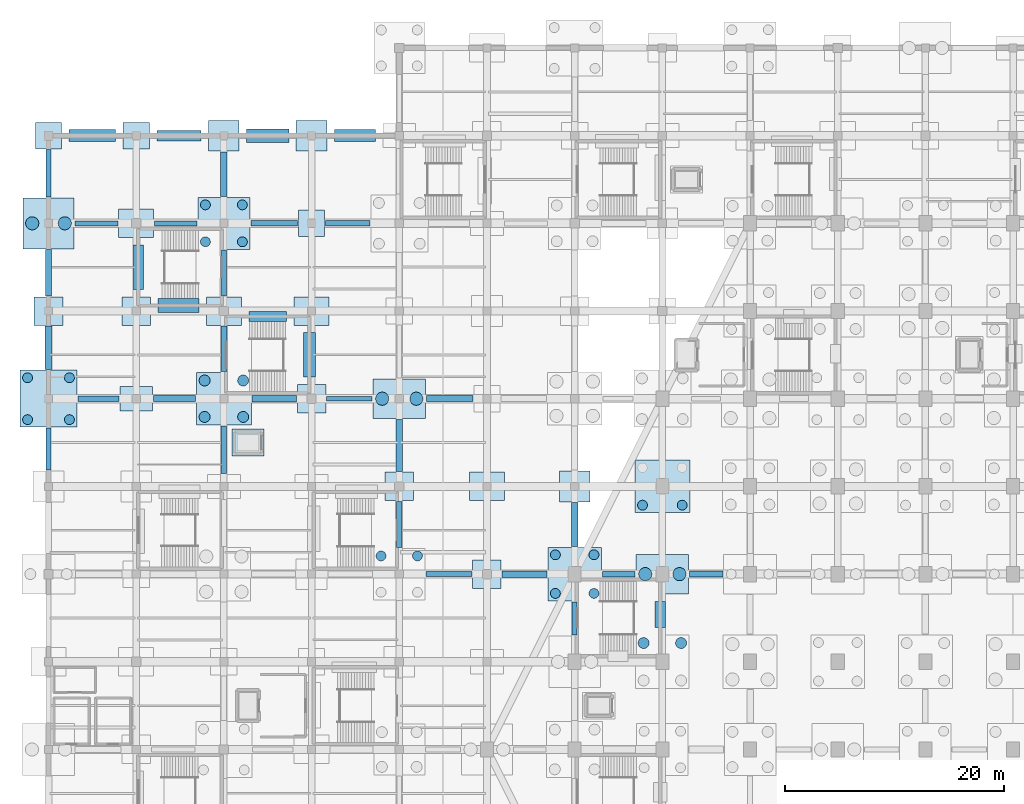
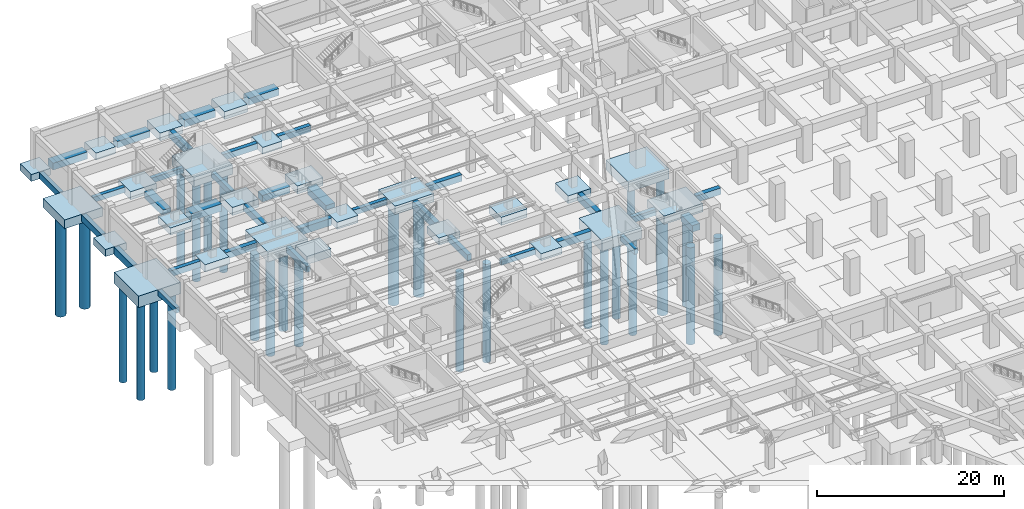
# One storey, part 7 of 36: 59 footings, 28 piles.
"""IFC4 building model written with IfcOpenShell, lengths in metres."""

from ifc_helpers import new_model, si_unit, direction, frame, origin, origin_2d, place, context, subcontext, project, spatial, rectangle, circle, extrude, material, material_profile, profile_set, type_object, element, save


model = new_model("IFC4")

# Units and contexts
model_context = context("Model", 3, precision=1e-05, world=origin(), true_north=direction((0.0, 1.0)))
body_context = subcontext(model_context, "Body", "Model", "MODEL_VIEW")
ifc_project = project(units=[si_unit("LENGTHUNIT", "METRE"), si_unit("AREAUNIT", "SQUARE_METRE"), si_unit("VOLUMEUNIT", "CUBIC_METRE"), si_unit("PLANEANGLEUNIT", "RADIAN"), si_unit("MASSUNIT", "GRAM", prefix="KILO")], contexts=[model_context])

# Site, building, storey
site_placement = place(None, origin())
site = spatial("IfcSite", under=ifc_project, at=site_placement, CompositionType="ELEMENT")
building_placement = place(site_placement, origin())
building = spatial("IfcBuilding", under=site, at=building_placement, Name="Tazarka Park Arena", CompositionType="ELEMENT")
storey_placement = place(building_placement, frame((0.0, 0.0, -4.800048828125)))
storey = spatial("IfcBuildingStorey", under=building, at=storey_placement, Name="B1", CompositionType="ELEMENT", Elevation=-4.800048828125)

# Footings
ifc_material_1 = material(Name="Concrete C35/45", Category="concrete")
footing_type_1 = type_object("IfcFootingType", Name="CAP-PC-02", PredefinedType="PILE_CAP", material=ifc_material_1)
footing_1_placement = place(storey_placement, frame((48.0, 80.0, -1.39990234375), z_axis=(0.0, 0.0, 1.0), x_axis=(1.0, 0.0, 0.0)))
element("IfcFooting", 1, at=footing_1_placement, inside=storey, type_object=footing_type_1, Name="CAP-G-06-10", PredefinedType="PILE_CAP", context=body_context, shape_type="SweptSolid", body=[
    extrude(rectangle(XDim=4.89990234375, YDim=4.89990234375, at=origin_2d()), origin(), (0.0, 0.0, 1.0), 1.39990234375),
])
ifc_material_2 = material(Name="Concrete C35/45", Category="concrete")
footing_type_2 = type_object("IfcFootingType", Name="CAP-PC-03", PredefinedType="PILE_CAP", material=ifc_material_2)
for number, where, z_axis, x_axis, name in (
    (2, (32.0, 96.0, -1.10009765625), (0.0, 0.0, 1.0), (1.0, 0.0, 0.0), "CAP-G-04-12"),
    (3, (56.0, 80.0, -1.10009765625), (0.0, 0.0, 1.0), (1.0, 0.0, 0.0), "CAP-G-07-10"),
):
    element("IfcFooting", number, at=place(storey_placement, frame(where, z_axis=z_axis, x_axis=x_axis)), inside=storey, type_object=footing_type_2, Name=name, PredefinedType="PILE_CAP", context=body_context, shape_type="SweptSolid", body=[
        extrude(rectangle(XDim=4.800048828125, YDim=3.60009765625, at=origin_2d()), origin(), (0.0, 0.0, 1.0), 1.10009765625),
    ])
ifc_material_3 = material(Name="Concrete C35/45", Category="concrete")
footing_type_3 = type_object("IfcFootingType", Name="CAP-PC-04", PredefinedType="PILE_CAP", material=ifc_material_3)
for number, where, z_axis, x_axis, name in (
    (4, (16.0, 96.0, -1.2998046875), (0.0, 0.0, 1.0), (1.0, 0.0, 0.0), "CAP-G-02-12"),
    (5, (56.0, 88.0, -1.2998046875), (0.0, 0.0, 1.0), (1.0, 0.0, 0.0), "CAP-G-07-11"),
):
    element("IfcFooting", number, at=place(storey_placement, frame(where, z_axis=z_axis, x_axis=x_axis)), inside=storey, type_object=footing_type_3, Name=name, PredefinedType="PILE_CAP", context=body_context, shape_type="SweptSolid", body=[
        extrude(rectangle(XDim=5.0, YDim=4.800048828125, at=origin_2d()), origin(), (0.0, 0.0, 1.0), 1.300048828125),
    ])
ifc_material_4 = material(Name="Concrete C35/45", Category="concrete")
footing_type_4 = type_object("IfcFootingType", Name="CAP-PC-05", PredefinedType="PILE_CAP", material=ifc_material_4)
footing_2_placement = place(storey_placement, frame((0.0, 96.0, -1.5), z_axis=(0.0, 0.0, 1.0), x_axis=(1.0, 0.0, 0.0)))
element("IfcFooting", 6, at=footing_2_placement, inside=storey, type_object=footing_type_4, Name="CAP-G-00-12", PredefinedType="PILE_CAP", context=body_context, shape_type="SweptSolid", body=[
    extrude(rectangle(XDim=5.199951171875, YDim=5.199951171875, at=origin_2d()), origin(), (0.0, 0.0, 1.0), 1.5),
])
ifc_material_5 = material(Name="Concrete C35/45", Category="concrete")
footing_type_5 = type_object("IfcFootingType", Name="CAP-PC-06", PredefinedType="PILE_CAP", material=ifc_material_5)
footing_3_placement = place(storey_placement, frame((16.0, 112.0, -1.25), z_axis=(0.0, 0.0, 1.0), x_axis=(1.0, 0.0, 0.0)))
element("IfcFooting", 7, at=footing_3_placement, inside=storey, type_object=footing_type_5, Name="CAP-G-02-14", PredefinedType="PILE_CAP", context=body_context, shape_type="SweptSolid", body=[
    extrude(rectangle(XDim=4.75, YDim=4.75, at=origin_2d()), origin(), (0.0, 0.0, 1.0), 1.25),
])
ifc_material_6 = material(Name="Concrete C35/45", Category="concrete")
footing_type_6 = type_object("IfcFootingType", Name="CAP-PC-07", PredefinedType="PILE_CAP", material=ifc_material_6)
footing_4_placement = place(storey_placement, frame((0.0, 112.0, -1.14990234375), z_axis=(0.0, 0.0, 1.0), x_axis=(1.0, 0.0, 0.0)))
element("IfcFooting", 8, at=footing_4_placement, inside=storey, type_object=footing_type_6, Name="CAP-G-00-14", PredefinedType="PILE_CAP", context=body_context, shape_type="SweptSolid", body=[
    extrude(rectangle(XDim=4.64990234375, YDim=4.64990234375, at=origin_2d()), origin(), (0.0, 0.0, 1.0), 1.14990234375),
])
ifc_material_7 = material(Name="Concrete C35/45", Category="concrete")
ifc_material_profile_1 = material_profile(ifc_material_7, rectangle(XDim=0.449951171875, YDim=0.699951171875, at=origin_2d()), Name="Concrete C35/45")
ifc_profile_set_1 = profile_set([ifc_material_profile_1], Name="Concrete C35/45")
footing_type_7 = type_object("IfcFootingType", Name="GB-GB-01", PredefinedType="FOOTING_BEAM", material=ifc_profile_set_1)
footing_5_placement = place(storey_placement, frame((0.0, 89.47998046875, -0.349853515625), z_axis=(0.0, 1.0, 0.0), x_axis=(-1.0, 0.0, 0.0)))
element("IfcFooting", 9, at=footing_5_placement, inside=storey, type_object=footing_type_7, Name="GB-Y-00-11", PredefinedType="FOOTING_BEAM", context=body_context, shape_type="SweptSolid", body=[
    extrude(rectangle(XDim=0.449951171875, YDim=0.699951171875, at=origin_2d()), origin(), (0.0, 0.0, 1.0), 3.840087890625),
])
footing_6_placement = place(storey_placement, frame((2.405029296875, 112.0, -0.349853515625), z_axis=(1.0, 0.0, 0.0), x_axis=(0.0, 1.0, 0.0)))
element("IfcFooting", 10, at=footing_6_placement, inside=storey, type_object=footing_type_7, Name="GB-X-00-14", PredefinedType="FOOTING_BEAM", context=body_context, shape_type="SweptSolid", body=[
    extrude(rectangle(XDim=0.449951171875, YDim=0.699951171875, at=origin_2d()), origin(), (0.0, 0.0, 1.0), 3.9150390625),
])
footing_7_placement = place(storey_placement, frame((9.679931640625, 112.0, -0.349853515625), z_axis=(1.0, 0.0, 0.0), x_axis=(0.0, 1.0, 0.0)))
element("IfcFooting", 11, at=footing_7_placement, inside=storey, type_object=footing_type_7, Name="GB-X-01-14", PredefinedType="FOOTING_BEAM", context=body_context, shape_type="SweptSolid", body=[
    extrude(rectangle(XDim=0.449951171875, YDim=0.699951171875, at=origin_2d()), origin(), (0.0, 0.0, 1.0), 3.864990234375),
])
footing_8_placement = place(storey_placement, frame((16.0, 105.3798828125, -0.349853515625), z_axis=(0.0, 1.0, 0.0), x_axis=(-1.0, 0.0, 0.0)))
element("IfcFooting", 12, at=footing_8_placement, inside=storey, type_object=footing_type_7, Name="GB-Y-02-13", PredefinedType="FOOTING_BEAM", context=body_context, shape_type="SweptSolid", body=[
    extrude(rectangle(XDim=0.449951171875, YDim=0.699951171875, at=origin_2d()), origin(), (0.0, 0.0, 1.0), 4.1650390625),
])
footing_9_placement = place(storey_placement, frame((25.3798828125, 96.0, -0.349853515625), z_axis=(1.0, 0.0, 0.0), x_axis=(0.0, 1.0, 0.0)))
element("IfcFooting", 13, at=footing_9_placement, inside=storey, type_object=footing_type_7, Name="GB-X-03-12", PredefinedType="FOOTING_BEAM", context=body_context, shape_type="SweptSolid", body=[
    extrude(rectangle(XDim=0.449951171875, YDim=0.699951171875, at=origin_2d()), origin(), (0.0, 0.0, 1.0), 4.14013671875),
])
footing_10_placement = place(storey_placement, frame((34.429931640625, 80.0, -0.349853515625), z_axis=(1.0, 0.0, 0.0), x_axis=(0.0, 1.0, 0.0)))
element("IfcFooting", 14, at=footing_10_placement, inside=storey, type_object=footing_type_7, Name="GB-X-04-10", PredefinedType="FOOTING_BEAM", context=body_context, shape_type="SweptSolid", body=[
    extrude(rectangle(XDim=0.449951171875, YDim=0.699951171875, at=origin_2d()), origin(), (0.0, 0.0, 1.0), 4.190185546875),
])
footing_11_placement = place(storey_placement, frame((48.0, 74.429931640625, -0.349853515625), z_axis=(0.0, 1.0, 0.0), x_axis=(-1.0, 0.0, 0.0)))
element("IfcFooting", 15, at=footing_11_placement, inside=storey, type_object=footing_type_7, Name="GB-Y-06-09", PredefinedType="FOOTING_BEAM", context=body_context, shape_type="SweptSolid", body=[
    extrude(rectangle(XDim=0.449951171875, YDim=0.699951171875, at=origin_2d()), origin(), (0.0, 0.0, 1.0), 3.0400390625),
])
ifc_material_8 = material(Name="Concrete C35/45", Category="concrete")
ifc_material_profile_2 = material_profile(ifc_material_8, rectangle(XDim=0.5, YDim=0.800048828125, at=origin_2d()), Name="Concrete C35/45")
ifc_profile_set_2 = profile_set([ifc_material_profile_2], Name="Concrete C35/45")
footing_type_8 = type_object("IfcFootingType", Name="GB-GB-02", PredefinedType="FOOTING_BEAM", material=ifc_profile_set_2)
footing_12_placement = place(storey_placement, frame((2.679931640625, 96.0, -0.39990234375), z_axis=(1.0, 0.0, 0.0), x_axis=(0.0, 1.0, 0.0)))
element("IfcFooting", 16, at=footing_12_placement, inside=storey, type_object=footing_type_8, Name="GB-X-00-12", PredefinedType="FOOTING_BEAM", context=body_context, shape_type="SweptSolid", body=[
    extrude(rectangle(XDim=0.5, YDim=0.800048828125, at=origin_2d()), origin(), (0.0, 0.0, 1.0), 3.739990234375),
])
footing_13_placement = place(storey_placement, frame((0.0, 114.405029296875, -0.39990234375), z_axis=(0.0, 1.0, 0.0), x_axis=(-1.0, 0.0, 0.0)))
element("IfcFooting", 17, at=footing_13_placement, inside=storey, type_object=footing_type_8, Name="GB-Y-00-14", PredefinedType="FOOTING_BEAM", context=body_context, shape_type="SweptSolid", body=[
    extrude(rectangle(XDim=0.5, YDim=0.800048828125, at=origin_2d()), origin(), (0.0, 0.0, 1.0), 4.31494140625),
])
footing_14_placement = place(storey_placement, frame((16.0, 89.179931640625, -0.39990234375), z_axis=(0.0, 1.0, 0.0), x_axis=(-1.0, 0.0, 0.0)))
element("IfcFooting", 18, at=footing_14_placement, inside=storey, type_object=footing_type_8, Name="GB-Y-02-11", PredefinedType="FOOTING_BEAM", context=body_context, shape_type="SweptSolid", body=[
    extrude(rectangle(XDim=0.5, YDim=0.800048828125, at=origin_2d()), origin(), (0.0, 0.0, 1.0), 4.340087890625),
])
footing_15_placement = place(storey_placement, frame((18.455078125, 112.0, -0.39990234375), z_axis=(1.0, 0.0, 0.0), x_axis=(0.0, 1.0, 0.0)))
element("IfcFooting", 19, at=footing_15_placement, inside=storey, type_object=footing_type_8, Name="GB-X-02-14", PredefinedType="FOOTING_BEAM", context=body_context, shape_type="SweptSolid", body=[
    extrude(rectangle(XDim=0.5, YDim=0.800048828125, at=origin_2d()), origin(), (0.0, 0.0, 1.0), 4.264892578125),
])
footing_16_placement = place(storey_placement, frame((25.280029296875, 112.0, -0.39990234375), z_axis=(1.0, 0.0, 0.0), x_axis=(0.0, 1.0, 0.0)))
element("IfcFooting", 20, at=footing_16_placement, inside=storey, type_object=footing_type_8, Name="GB-X-03-14", PredefinedType="FOOTING_BEAM", context=body_context, shape_type="SweptSolid", body=[
    extrude(rectangle(XDim=0.5, YDim=0.800048828125, at=origin_2d()), origin(), (0.0, 0.0, 1.0), 4.0400390625),
])
footing_17_placement = place(storey_placement, frame((32.0, 82.429931640625, -0.39990234375), z_axis=(0.0, 1.0, 0.0), x_axis=(-1.0, 0.0, 0.0)))
element("IfcFooting", 21, at=footing_17_placement, inside=storey, type_object=footing_type_8, Name="GB-Y-04-10", PredefinedType="FOOTING_BEAM", context=body_context, shape_type="SweptSolid", body=[
    extrude(rectangle(XDim=0.5, YDim=0.800048828125, at=origin_2d()), origin(), (0.0, 0.0, 1.0), 4.190185546875),
])
footing_18_placement = place(storey_placement, frame((50.530029296875, 80.0, -0.39990234375), z_axis=(1.0, 0.0, 0.0), x_axis=(0.0, 1.0, 0.0)))
element("IfcFooting", 22, at=footing_18_placement, inside=storey, type_object=footing_type_8, Name="GB-X-06-10", PredefinedType="FOOTING_BEAM", context=body_context, shape_type="SweptSolid", body=[
    extrude(rectangle(XDim=0.5, YDim=0.800048828125, at=origin_2d()), origin(), (0.0, 0.0, 1.0), 2.989990234375),
])
ifc_material_9 = material(Name="Concrete C35/45", Category="concrete")
ifc_material_profile_3 = material_profile(ifc_material_9, rectangle(XDim=0.60009765625, YDim=0.949951171875, at=origin_2d()), Name="Concrete C35/45")
ifc_profile_set_3 = profile_set([ifc_material_profile_3], Name="Concrete C35/45")
footing_type_9 = type_object("IfcFootingType", Name="GB-GB-03", PredefinedType="FOOTING_BEAM", material=ifc_profile_set_3)
footing_19_placement = place(storey_placement, frame((0.0, 98.679931640625, -0.474853515625), z_axis=(0.0, 1.0, 0.0), x_axis=(-1.0, 0.0, 0.0)))
element("IfcFooting", 23, at=footing_19_placement, inside=storey, type_object=footing_type_9, Name="GB-Y-00-12", PredefinedType="FOOTING_BEAM", context=body_context, shape_type="SweptSolid", body=[
    extrude(rectangle(XDim=0.60009765625, YDim=0.949951171875, at=origin_2d()), origin(), (0.0, 0.0, 1.0), 3.940185546875),
])
footing_20_placement = place(storey_placement, frame((18.580078125, 96.0, -0.474853515625), z_axis=(1.0, 0.0, 0.0), x_axis=(0.0, 1.0, 0.0)))
element("IfcFooting", 24, at=footing_20_placement, inside=storey, type_object=footing_type_9, Name="GB-X-02-12", PredefinedType="FOOTING_BEAM", context=body_context, shape_type="SweptSolid", body=[
    extrude(rectangle(XDim=0.60009765625, YDim=0.949951171875, at=origin_2d()), origin(), (0.0, 0.0, 1.0), 4.0400390625),
])
footing_21_placement = place(storey_placement, frame((16.0, 114.455078125, -0.474853515625), z_axis=(0.0, 1.0, 0.0), x_axis=(-1.0, 0.0, 0.0)))
element("IfcFooting", 25, at=footing_21_placement, inside=storey, type_object=footing_type_9, Name="GB-Y-02-14", PredefinedType="FOOTING_BEAM", context=body_context, shape_type="SweptSolid", body=[
    extrude(rectangle(XDim=0.60009765625, YDim=0.949951171875, at=origin_2d()), origin(), (0.0, 0.0, 1.0), 4.06494140625),
])
footing_22_placement = place(storey_placement, frame((32.0, 89.3798828125, -0.474853515625), z_axis=(0.0, 1.0, 0.0), x_axis=(-1.0, 0.0, 0.0)))
element("IfcFooting", 26, at=footing_22_placement, inside=storey, type_object=footing_type_9, Name="GB-Y-04-11", PredefinedType="FOOTING_BEAM", context=body_context, shape_type="SweptSolid", body=[
    extrude(rectangle(XDim=0.60009765625, YDim=0.949951171875, at=origin_2d()), origin(), (0.0, 0.0, 1.0), 4.740234375),
])
footing_23_placement = place(storey_placement, frame((41.3798828125, 80.0, -0.474853515625), z_axis=(1.0, 0.0, 0.0), x_axis=(0.0, 1.0, 0.0)))
element("IfcFooting", 27, at=footing_23_placement, inside=storey, type_object=footing_type_9, Name="GB-X-05-10", PredefinedType="FOOTING_BEAM", context=body_context, shape_type="SweptSolid", body=[
    extrude(rectangle(XDim=0.60009765625, YDim=0.949951171875, at=origin_2d()), origin(), (0.0, 0.0, 1.0), 4.090087890625),
])
footing_24_placement = place(storey_placement, frame((48.0, 82.530029296875, -0.474853515625), z_axis=(0.0, 1.0, 0.0), x_axis=(-1.0, 0.0, 0.0)))
element("IfcFooting", 28, at=footing_24_placement, inside=storey, type_object=footing_type_9, Name="GB-Y-06-10", PredefinedType="FOOTING_BEAM", context=body_context, shape_type="SweptSolid", body=[
    extrude(rectangle(XDim=0.60009765625, YDim=0.949951171875, at=origin_2d()), origin(), (0.0, 0.0, 1.0), 3.989990234375),
])
ifc_material_10 = material(Name="Concrete C35/45", Category="concrete")
ifc_material_profile_4 = material_profile(ifc_material_10, rectangle(XDim=0.550048828125, YDim=0.85009765625, at=origin_2d()), Name="Concrete C35/45")
ifc_profile_set_4 = profile_set([ifc_material_profile_4], Name="Concrete C35/45")
footing_type_10 = type_object("IfcFootingType", Name="GB-GB-04", PredefinedType="FOOTING_BEAM", material=ifc_profile_set_4)
footing_25_placement = place(storey_placement, frame((0.0, 105.3798828125, -0.425048828125), z_axis=(0.0, 1.0, 0.0), x_axis=(-1.0, 0.0, 0.0)))
element("IfcFooting", 29, at=footing_25_placement, inside=storey, type_object=footing_type_10, Name="GB-Y-00-13", PredefinedType="FOOTING_BEAM", context=body_context, shape_type="SweptSolid", body=[
    extrude(rectangle(XDim=0.550048828125, YDim=0.85009765625, at=origin_2d()), origin(), (0.0, 0.0, 1.0), 4.215087890625),
])
footing_26_placement = place(storey_placement, frame((9.580078125, 96.0, -0.425048828125), z_axis=(1.0, 0.0, 0.0), x_axis=(0.0, 1.0, 0.0)))
element("IfcFooting", 30, at=footing_26_placement, inside=storey, type_object=footing_type_10, Name="GB-X-01-12", PredefinedType="FOOTING_BEAM", context=body_context, shape_type="SweptSolid", body=[
    extrude(rectangle(XDim=0.550048828125, YDim=0.85009765625, at=origin_2d()), origin(), (0.0, 0.0, 1.0), 3.83984375),
])
footing_27_placement = place(storey_placement, frame((16.0, 98.47998046875, -0.425048828125), z_axis=(0.0, 1.0, 0.0), x_axis=(-1.0, 0.0, 0.0)))
element("IfcFooting", 31, at=footing_27_placement, inside=storey, type_object=footing_type_10, Name="GB-Y-02-12", PredefinedType="FOOTING_BEAM", context=body_context, shape_type="SweptSolid", body=[
    extrude(rectangle(XDim=0.550048828125, YDim=0.85009765625, at=origin_2d()), origin(), (0.0, 0.0, 1.0), 4.14013671875),
])
footing_28_placement = place(storey_placement, frame((34.47998046875, 96.0, -0.425048828125), z_axis=(1.0, 0.0, 0.0), x_axis=(0.0, 1.0, 0.0)))
element("IfcFooting", 32, at=footing_28_placement, inside=storey, type_object=footing_type_10, Name="GB-X-04-12", PredefinedType="FOOTING_BEAM", context=body_context, shape_type="SweptSolid", body=[
    extrude(rectangle(XDim=0.550048828125, YDim=0.85009765625, at=origin_2d()), origin(), (0.0, 0.0, 1.0), 4.239990234375),
])
footing_29_placement = place(storey_placement, frame((58.47998046875, 80.0, -0.425048828125), z_axis=(1.0, 0.0, 0.0), x_axis=(0.0, 1.0, 0.0)))
element("IfcFooting", 33, at=footing_29_placement, inside=storey, type_object=footing_type_10, Name="GB-X-07-10", PredefinedType="FOOTING_BEAM", context=body_context, shape_type="SweptSolid", body=[
    extrude(rectangle(XDim=0.550048828125, YDim=0.85009765625, at=origin_2d()), origin(), (0.0, 0.0, 1.0), 3.0400390625),
])
ifc_material_11 = material(Name="Concrete C35/45", Category="concrete")
footing_type_11 = type_object("IfcFootingType", Name="PAD-PF-01", PredefinedType="PAD_FOOTING", material=ifc_material_11)
for number, where, z_axis, x_axis, name in (
    (34, (0.0, 120.0, -0.89990234375), (0.0, 0.0, 1.0), (1.0, 0.0, 0.0), "PAD-G-00-15"),
    (35, (8.0, 120.0, -0.89990234375), (0.0, 0.0, 1.0), (1.0, 0.0, 0.0), "PAD-G-01-15"),
    (36, (24.0, 112.0, -0.89990234375), (0.0, 0.0, 1.0), (1.0, 0.0, 0.0), "PAD-G-03-14"),
):
    element("IfcFooting", number, at=place(storey_placement, frame(where, z_axis=z_axis, x_axis=x_axis)), inside=storey, type_object=footing_type_11, Name=name, PredefinedType="PAD_FOOTING", context=body_context, shape_type="SweptSolid", body=[
        extrude(rectangle(XDim=2.39990234375, YDim=2.39990234375, at=origin_2d()), origin(), (0.0, 0.0, 1.0), 0.89990234375),
    ])
ifc_material_12 = material(Name="Concrete C35/45", Category="concrete")
footing_type_12 = type_object("IfcFootingType", Name="PAD-PF-02", PredefinedType="PAD_FOOTING", material=ifc_material_12)
for number, where, z_axis, x_axis, name in (
    (37, (16.0, 120.0, -1.0), (0.0, 0.0, 1.0), (1.0, 0.0, 0.0), "PAD-G-02-15"),
    (38, (24.0, 120.0, -1.0), (0.0, 0.0, 1.0), (1.0, 0.0, 0.0), "PAD-G-03-15"),
    (39, (48.0, 88.0, -1.0), (0.0, 0.0, 1.0), (1.0, 0.0, 0.0), "PAD-G-06-11"),
):
    element("IfcFooting", number, at=place(storey_placement, frame(where, z_axis=z_axis, x_axis=x_axis)), inside=storey, type_object=footing_type_12, Name=name, PredefinedType="PAD_FOOTING", context=body_context, shape_type="SweptSolid", body=[
        extrude(rectangle(XDim=2.800048828125, YDim=2.800048828125, at=origin_2d()), origin(), (0.0, 0.0, 1.0), 1.0),
    ])
ifc_material_13 = material(Name="Concrete C35/45", Category="concrete")
footing_type_13 = type_object("IfcFootingType", Name="PAD-PF-03", PredefinedType="PAD_FOOTING", material=ifc_material_13)
footing_30_placement = place(storey_placement, frame((8.0, 96.0, -0.94970703125), z_axis=(0.0, 0.0, 1.0), x_axis=(1.0, 0.0, 0.0)))
element("IfcFooting", 40, at=footing_30_placement, inside=storey, type_object=footing_type_13, Name="PAD-G-01-12", PredefinedType="PAD_FOOTING", context=body_context, shape_type="SweptSolid", body=[
    extrude(rectangle(XDim=3.0, YDim=2.199951171875, at=origin_2d()), origin(), (0.0, 0.0, 1.0), 0.949951171875),
])
ifc_material_14 = material(Name="Concrete C35/45", Category="concrete")
footing_type_14 = type_object("IfcFootingType", Name="PAD-PF-04", PredefinedType="PAD_FOOTING", material=ifc_material_14)
for number, where, z_axis, x_axis, name in (
    (41, (0.0, 104.0, -0.919921875), (0.0, 0.0, 1.0), (1.0, 0.0, 0.0), "PAD-G-00-13"),
    (42, (8.0, 104.0, -0.919921875), (0.0, 0.0, 1.0), (1.0, 0.0, 0.0), "PAD-G-01-13"),
    (43, (24.0, 96.0, -0.919921875), (0.0, 0.0, 1.0), (1.0, 0.0, 0.0), "PAD-G-03-12"),
    (44, (32.0, 88.0, -0.919921875), (0.0, 0.0, 1.0), (1.0, 0.0, 0.0), "PAD-G-04-11"),
    (45, (40.0, 80.0, -0.919921875), (0.0, 0.0, 1.0), (1.0, 0.0, 0.0), "PAD-G-05-10"),
):
    element("IfcFooting", number, at=place(storey_placement, frame(where, z_axis=z_axis, x_axis=x_axis)), inside=storey, type_object=footing_type_14, Name=name, PredefinedType="PAD_FOOTING", context=body_context, shape_type="SweptSolid", body=[
        extrude(rectangle(XDim=2.60009765625, YDim=2.60009765625, at=origin_2d()), origin(), (0.0, 0.0, 1.0), 0.919921875),
    ])
ifc_material_15 = material(Name="Concrete C35/45", Category="concrete")
footing_type_15 = type_object("IfcFootingType", Name="PAD-PF-05", PredefinedType="PAD_FOOTING", material=ifc_material_15)
for number, where, z_axis, x_axis, name in (
    (46, (8.0, 112.0, -1.0498046875), (0.0, 0.0, 1.0), (1.0, 0.0, 0.0), "PAD-G-01-14"),
    (47, (16.0, 104.0, -1.0498046875), (0.0, 0.0, 1.0), (1.0, 0.0, 0.0), "PAD-G-02-13"),
    (48, (24.0, 104.0, -1.0498046875), (0.0, 0.0, 1.0), (1.0, 0.0, 0.0), "PAD-G-03-13"),
    (49, (40.0, 88.0, -1.0498046875), (0.0, 0.0, 1.0), (1.0, 0.0, 0.0), "PAD-G-05-11"),
):
    element("IfcFooting", number, at=place(storey_placement, frame(where, z_axis=z_axis, x_axis=x_axis)), inside=storey, type_object=footing_type_15, Name=name, PredefinedType="PAD_FOOTING", context=body_context, shape_type="SweptSolid", body=[
        extrude(rectangle(XDim=3.199951171875, YDim=2.60009765625, at=origin_2d()), origin(), (0.0, 0.0, 1.0), 1.050048828125),
    ])
footing_31_placement = place(storey_placement, frame((18.199951171875, 92.0, -1.0498046875), z_axis=(0.0, 0.0, 1.0), x_axis=(1.0, 0.0, 0.0)))
element("IfcFooting", 50, at=footing_31_placement, inside=storey, type_object=footing_type_15, Name="PAD-LF-LF-06", PredefinedType="PAD_FOOTING", context=body_context, shape_type="SweptSolid", body=[
    extrude(rectangle(XDim=2.93994140625, YDim=2.43994140625, at=origin_2d()), origin(), (0.0, 0.0, 1.0), 1.050048828125),
])

# Piles
ifc_material_16 = material(Name="Concrete C35/45", Category="concrete")
ifc_material_profile_5 = material_profile(ifc_material_16, circle(Radius=0.5, at=origin_2d()), Name="Concrete C35/45")
ifc_profile_set_5 = profile_set([ifc_material_profile_5], Name="Concrete C35/45")
pile_type_1 = type_object("IfcPileType", Name="PILE-D1000", PredefinedType="BORED", material=ifc_profile_set_5)
for number, where, z_axis, x_axis, name in (
    (51, (14.239990234375, 94.340087890625, -1.199951171875), (0.0, 0.0, -1.0), (1.0, 0.0, 0.0), "PLN-G-02-12-1"),
    (52, (17.760009765625, 94.340087890625, -1.199951171875), (0.0, 0.0, -1.0), (1.0, 0.0, 0.0), "PLN-G-02-12-2"),
    (53, (14.239990234375, 97.659912109375, -1.199951171875), (0.0, 0.0, -1.0), (1.0, 0.0, 0.0), "PLN-G-02-12-3"),
    (54, (17.760009765625, 97.659912109375, -1.199951171875), (0.0, 0.0, -1.0), (1.0, 0.0, 0.0), "PLN-G-02-12-4"),
):
    element("IfcPile", number, at=place(storey_placement, frame(where, z_axis=z_axis, x_axis=x_axis)), inside=storey, type_object=pile_type_1, Name=name, PredefinedType="BORED", context=body_context, shape_type="SweptSolid", body=[
        extrude(circle(Radius=0.5, at=origin_2d()), origin(), (0.0, 0.0, 1.0), 12.800048828125),
    ])
for number, where, z_axis, x_axis, name in (
    (55, (54.2900390625, 73.7099609375, -1.300048828125), (0.0, 0.0, -1.0), (1.0, 0.0, 0.0), "PLN-G-07-09-3"),
    (56, (57.7099609375, 73.7099609375, -1.300048828125), (0.0, 0.0, -1.0), (1.0, 0.0, 0.0), "PLN-G-07-09-4"),
):
    element("IfcPile", number, at=place(storey_placement, frame(where, z_axis=z_axis, x_axis=x_axis)), inside=storey, type_object=pile_type_1, Name=name, PredefinedType="BORED", context=body_context, shape_type="SweptSolid", body=[
        extrude(circle(Radius=0.5, at=origin_2d()), origin(), (0.0, 0.0, 1.0), 12.699951171875),
    ])
ifc_material_17 = material(Name="Concrete C35/45", Category="concrete")
ifc_material_profile_6 = material_profile(ifc_material_17, circle(Radius=0.60009765625, at=origin_2d()), Name="Concrete C35/45")
ifc_profile_set_6 = profile_set([ifc_material_profile_6], Name="Concrete C35/45")
pile_type_2 = type_object("IfcPileType", Name="PILE-D1200", PredefinedType="BORED", material=ifc_profile_set_6)
for number, where, z_axis, x_axis, name in (
    (57, (-1.485107421875, 112.0, -1.050048828125), (0.0, 0.0, -1.0), (1.0, 0.0, 0.0), "PLN-G-00-14-1"),
    (58, (1.485107421875, 112.0, -1.050048828125), (0.0, 0.0, -1.0), (1.0, 0.0, 0.0), "PLN-G-00-14-2"),
):
    element("IfcPile", number, at=place(storey_placement, frame(where, z_axis=z_axis, x_axis=x_axis)), inside=storey, type_object=pile_type_2, Name=name, PredefinedType="BORED", context=body_context, shape_type="SweptSolid", body=[
        extrude(circle(Radius=0.60009765625, at=origin_2d()), origin(), (0.0, 0.0, 1.0), 12.949951171875),
    ])
for number, where, z_axis, x_axis, name in (
    (59, (30.43994140625, 96.0, -1.0), (0.0, 0.0, -1.0), (1.0, 0.0, 0.0), "PLN-G-04-12-1"),
    (60, (33.56005859375, 96.0, -1.0), (0.0, 0.0, -1.0), (1.0, 0.0, 0.0), "PLN-G-04-12-2"),
    (61, (54.43994140625, 80.0, -1.0), (0.0, 0.0, -1.0), (1.0, 0.0, 0.0), "PLN-G-07-10-1"),
    (62, (57.56005859375, 80.0, -1.0), (0.0, 0.0, -1.0), (1.0, 0.0, 0.0), "PLN-G-07-10-2"),
):
    element("IfcPile", number, at=place(storey_placement, frame(where, z_axis=z_axis, x_axis=x_axis)), inside=storey, type_object=pile_type_2, Name=name, PredefinedType="BORED", context=body_context, shape_type="SweptSolid", body=[
        extrude(circle(Radius=0.60009765625, at=origin_2d()), origin(), (0.0, 0.0, 1.0), 13.0),
    ])
ifc_material_18 = material(Name="Concrete C35/45", Category="concrete")
ifc_material_profile_7 = material_profile(ifc_material_18, circle(Radius=0.449951171875, at=origin_2d()), Name="Concrete C35/45")
ifc_profile_set_7 = profile_set([ifc_material_profile_7], Name="Concrete C35/45")
pile_type_3 = type_object("IfcPileType", Name="PILE-D900", PredefinedType="BORED", material=ifc_profile_set_7)
for number, where, z_axis, x_axis, name in (
    (63, (-1.909912109375, 94.090087890625, -1.39990234375), (0.0, 0.0, -1.0), (1.0, 0.0, 0.0), "PLN-G-00-12-1"),
    (64, (1.909912109375, 94.090087890625, -1.39990234375), (0.0, 0.0, -1.0), (1.0, 0.0, 0.0), "PLN-G-00-12-2"),
    (65, (-1.909912109375, 97.909912109375, -1.39990234375), (0.0, 0.0, -1.0), (1.0, 0.0, 0.0), "PLN-G-00-12-3"),
    (66, (1.909912109375, 97.909912109375, -1.39990234375), (0.0, 0.0, -1.0), (1.0, 0.0, 0.0), "PLN-G-00-12-4"),
):
    element("IfcPile", number, at=place(storey_placement, frame(where, z_axis=z_axis, x_axis=x_axis)), inside=storey, type_object=pile_type_3, Name=name, PredefinedType="BORED", context=body_context, shape_type="SweptSolid", body=[
        extrude(circle(Radius=0.449951171875, at=origin_2d()), origin(), (0.0, 0.0, 1.0), 12.60009765625),
    ])
for number, where, z_axis, x_axis, name in (
    (67, (14.31494140625, 110.31494140625, -1.14990234375), (0.0, 0.0, -1.0), (1.0, 0.0, 0.0), "PLN-G-02-14-1"),
    (68, (17.68505859375, 110.31494140625, -1.14990234375), (0.0, 0.0, -1.0), (1.0, 0.0, 0.0), "PLN-G-02-14-2"),
    (69, (14.31494140625, 113.68505859375, -1.14990234375), (0.0, 0.0, -1.0), (1.0, 0.0, 0.0), "PLN-G-02-14-3"),
    (70, (17.68505859375, 113.68505859375, -1.14990234375), (0.0, 0.0, -1.0), (1.0, 0.0, 0.0), "PLN-G-02-14-4"),
):
    element("IfcPile", number, at=place(storey_placement, frame(where, z_axis=z_axis, x_axis=x_axis)), inside=storey, type_object=pile_type_3, Name=name, PredefinedType="BORED", context=body_context, shape_type="SweptSolid", body=[
        extrude(circle(Radius=0.449951171875, at=origin_2d()), origin(), (0.0, 0.0, 1.0), 12.85009765625),
    ])
for number, where, z_axis, x_axis, name in (
    (71, (30.340087890625, 81.659912109375, -1.099853515625), (0.0, 0.0, -1.0), (1.0, 0.0, 0.0), "PLN-G-04-10-3"),
    (72, (33.659912109375, 81.659912109375, -1.099853515625), (0.0, 0.0, -1.0), (1.0, 0.0, 0.0), "PLN-G-04-10-4"),
):
    element("IfcPile", number, at=place(storey_placement, frame(where, z_axis=z_axis, x_axis=x_axis)), inside=storey, type_object=pile_type_3, Name=name, PredefinedType="BORED", context=body_context, shape_type="SweptSolid", body=[
        extrude(circle(Radius=0.449951171875, at=origin_2d()), origin(), (0.0, 0.0, 1.0), 12.89990234375),
    ])
for number, where, z_axis, x_axis, name in (
    (73, (46.239990234375, 78.239990234375, -1.300048828125), (0.0, 0.0, -1.0), (1.0, 0.0, 0.0), "PLN-G-06-10-1"),
    (74, (49.760009765625, 78.239990234375, -1.300048828125), (0.0, 0.0, -1.0), (1.0, 0.0, 0.0), "PLN-G-06-10-2"),
    (75, (46.239990234375, 81.760009765625, -1.300048828125), (0.0, 0.0, -1.0), (1.0, 0.0, 0.0), "PLN-G-06-10-3"),
    (76, (49.760009765625, 81.760009765625, -1.300048828125), (0.0, 0.0, -1.0), (1.0, 0.0, 0.0), "PLN-G-06-10-4"),
):
    element("IfcPile", number, at=place(storey_placement, frame(where, z_axis=z_axis, x_axis=x_axis)), inside=storey, type_object=pile_type_3, Name=name, PredefinedType="BORED", context=body_context, shape_type="SweptSolid", body=[
        extrude(circle(Radius=0.449951171875, at=origin_2d()), origin(), (0.0, 0.0, 1.0), 12.699951171875),
    ])
for number, where, z_axis, x_axis, name in (
    (77, (54.18994140625, 86.2900390625, -1.199951171875), (0.0, 0.0, -1.0), (1.0, 0.0, 0.0), "PLN-G-07-11-1"),
    (78, (57.81005859375, 86.2900390625, -1.199951171875), (0.0, 0.0, -1.0), (1.0, 0.0, 0.0), "PLN-G-07-11-2"),
):
    element("IfcPile", number, at=place(storey_placement, frame(where, z_axis=z_axis, x_axis=x_axis)), inside=storey, type_object=pile_type_3, Name=name, PredefinedType="BORED", context=body_context, shape_type="SweptSolid", body=[
        extrude(circle(Radius=0.449951171875, at=origin_2d()), origin(), (0.0, 0.0, 1.0), 12.800048828125),
    ])

# Footings
ifc_material_19 = material(Name="Concrete C35/45", Category="concrete")
ifc_material_profile_8 = material_profile(ifc_material_19, rectangle(XDim=0.949951171875, YDim=0.85009765625, at=origin_2d()), Name="Concrete C35/45")
ifc_profile_set_8 = profile_set([ifc_material_profile_8], Name="Concrete C35/45")
footing_type_16 = type_object("IfcFootingType", Name="SF-SF-01", PredefinedType="STRIP_FOOTING", material=ifc_profile_set_8)
footing_32_placement = place(storey_placement, frame((9.8798828125, 120.0, -0.425048828125), z_axis=(1.0, 0.0, 0.0), x_axis=(0.0, 1.0, 0.0)))
element("IfcFooting", 79, at=footing_32_placement, inside=storey, type_object=footing_type_16, Name="SF-EW-0015", PredefinedType="STRIP_FOOTING", context=body_context, shape_type="SweptSolid", body=[
    extrude(rectangle(XDim=0.949951171875, YDim=0.85009765625, at=origin_2d()), origin(), (0.0, 0.0, 1.0), 4.0400390625),
])
footing_33_placement = place(storey_placement, frame((18.280029296875, 103.5, -0.425048828125), z_axis=(1.0, 0.0, 0.0), x_axis=(0.0, 1.0, 0.0)))
element("IfcFooting", 80, at=footing_33_placement, inside=storey, type_object=footing_type_16, Name="SF-ST03-N-1", PredefinedType="STRIP_FOOTING", context=body_context, shape_type="SweptSolid", body=[
    extrude(rectangle(XDim=0.949951171875, YDim=0.85009765625, at=origin_2d()), origin(), (0.0, 0.0, 1.0), 3.43994140625),
])
footing_34_placement = place(storey_placement, frame((55.800048828125, 77.52001953125, -0.425048828125), z_axis=(0.0, -1.0, 0.0), x_axis=(1.0, 0.0, 0.0)))
element("IfcFooting", 81, at=footing_34_placement, inside=storey, type_object=footing_type_16, Name="SF-ST20-E-1", PredefinedType="STRIP_FOOTING", context=body_context, shape_type="SweptSolid", body=[
    extrude(rectangle(XDim=0.949951171875, YDim=0.85009765625, at=origin_2d()), origin(), (0.0, 0.0, 1.0), 2.39013671875),
])
footing_35_placement = place(storey_placement, frame((8.199951171875, 105.97998046875, -0.425048828125), z_axis=(0.0, 1.0, 0.0), x_axis=(-1.0, 0.0, 0.0)))
element("IfcFooting", 82, at=footing_35_placement, inside=storey, type_object=footing_type_16, Name="SF-ST25-W-1", PredefinedType="STRIP_FOOTING", context=body_context, shape_type="SweptSolid", body=[
    extrude(rectangle(XDim=0.949951171875, YDim=0.85009765625, at=origin_2d()), origin(), (0.0, 0.0, 1.0), 4.0400390625),
])
ifc_material_20 = material(Name="Concrete C35/45", Category="concrete")
ifc_material_profile_9 = material_profile(ifc_material_20, rectangle(XDim=1.10009765625, YDim=0.89990234375, at=origin_2d()), Name="Concrete C35/45")
ifc_profile_set_9 = profile_set([ifc_material_profile_9], Name="Concrete C35/45")
footing_type_17 = type_object("IfcFootingType", Name="SF-SF-02", PredefinedType="STRIP_FOOTING", material=ifc_profile_set_9)
footing_36_placement = place(storey_placement, frame((26.080078125, 120.0, -0.449951171875), z_axis=(1.0, 0.0, 0.0), x_axis=(0.0, 1.0, 0.0)))
element("IfcFooting", 83, at=footing_36_placement, inside=storey, type_object=footing_type_17, Name="SF-EW-0013", PredefinedType="STRIP_FOOTING", context=body_context, shape_type="SweptSolid", body=[
    extrude(rectangle(XDim=1.10009765625, YDim=0.89990234375, at=origin_2d()), origin(), (0.0, 0.0, 1.0), 3.739990234375),
])
footing_37_placement = place(storey_placement, frame((1.8798828125, 120.0, -0.449951171875), z_axis=(1.0, 0.0, 0.0), x_axis=(0.0, 1.0, 0.0)))
element("IfcFooting", 84, at=footing_37_placement, inside=storey, type_object=footing_type_17, Name="SF-EW-0016", PredefinedType="STRIP_FOOTING", context=body_context, shape_type="SweptSolid", body=[
    extrude(rectangle(XDim=1.10009765625, YDim=0.89990234375, at=origin_2d()), origin(), (0.0, 0.0, 1.0), 4.240234375),
])
footing_38_placement = place(storey_placement, frame((23.800048828125, 102.02001953125, -0.449951171875), z_axis=(0.0, -1.0, 0.0), x_axis=(1.0, 0.0, 0.0)))
element("IfcFooting", 85, at=footing_38_placement, inside=storey, type_object=footing_type_17, Name="SF-ST03-E-1", PredefinedType="STRIP_FOOTING", context=body_context, shape_type="SweptSolid", body=[
    extrude(rectangle(XDim=1.10009765625, YDim=0.89990234375, at=origin_2d()), origin(), (0.0, 0.0, 1.0), 4.0400390625),
])
ifc_material_21 = material(Name="Concrete C35/45", Category="concrete")
ifc_material_profile_10 = material_profile(ifc_material_21, rectangle(XDim=1.25, YDim=0.949951171875, at=origin_2d()), Name="Concrete C35/45")
ifc_profile_set_10 = profile_set([ifc_material_profile_10], Name="Concrete C35/45")
footing_type_18 = type_object("IfcFootingType", Name="SF-SF-03", PredefinedType="STRIP_FOOTING", material=ifc_profile_set_10)
footing_39_placement = place(storey_placement, frame((18.080078125, 120.0, -0.474853515625), z_axis=(1.0, 0.0, 0.0), x_axis=(0.0, 1.0, 0.0)))
element("IfcFooting", 86, at=footing_39_placement, inside=storey, type_object=footing_type_18, Name="SF-EW-0014", PredefinedType="STRIP_FOOTING", context=body_context, shape_type="SweptSolid", body=[
    extrude(rectangle(XDim=1.25, YDim=0.949951171875, at=origin_2d()), origin(), (0.0, 0.0, 1.0), 3.83984375),
])
footing_40_placement = place(storey_placement, frame((13.719970703125, 104.5, -0.474853515625), z_axis=(-1.0, 0.0, 0.0), x_axis=(0.0, -1.0, 0.0)))
element("IfcFooting", 87, at=footing_40_placement, inside=storey, type_object=footing_type_18, Name="SF-ST25-S-1", PredefinedType="STRIP_FOOTING", context=body_context, shape_type="SweptSolid", body=[
    extrude(rectangle(XDim=1.25, YDim=0.949951171875, at=origin_2d()), origin(), (0.0, 0.0, 1.0), 3.739990234375),
])

save(model, "model.ifc")
